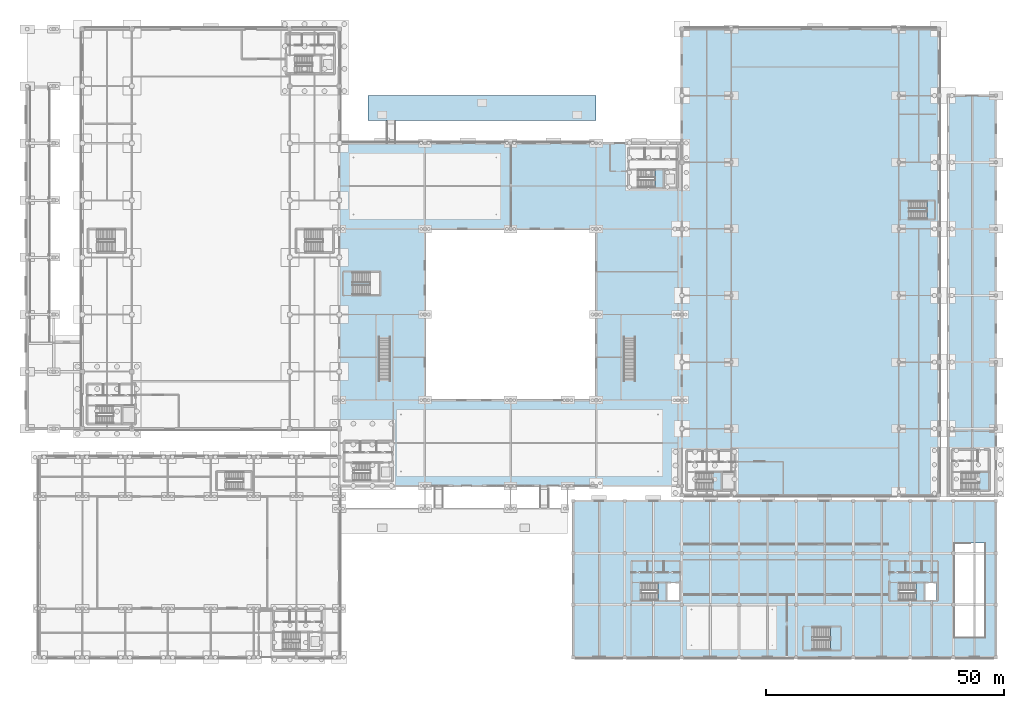
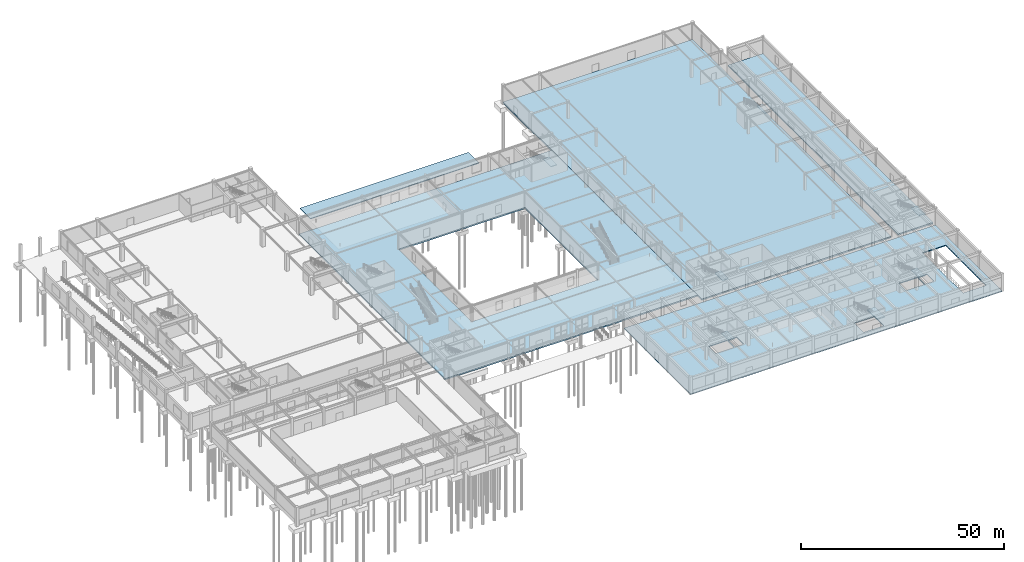
# One storey, part 22 of 53: 12 slabs, 7 elements without a shape of their own.
"""IFC4 building model written with IfcOpenShell, lengths in metres."""

from ifc_helpers import new_model, si_unit, derived_unit, direction, frame, origin, place, context, subcontext, project, spatial, polyline, outline, extrude, material, layer, layer_set, type_object, element, aggregate, save


model = new_model("IFC4")

# Units and contexts
model_context = context("Model", 3, precision=1e-05, world=origin(), true_north=direction((0.0, 1.0)))
body_context = subcontext(model_context, "Body", "Model", "MODEL_VIEW")
ifc_project = project(units=[si_unit("LENGTHUNIT", "METRE"), si_unit("AREAUNIT", "SQUARE_METRE"), si_unit("VOLUMEUNIT", "CUBIC_METRE"), si_unit("PLANEANGLEUNIT", "RADIAN"), si_unit("MASSUNIT", "GRAM", prefix="KILO"), derived_unit("THERMALTRANSMITTANCEUNIT", [(si_unit("POWERUNIT", "WATT"), 1), (si_unit("LENGTHUNIT", "METRE"), -2), (si_unit("THERMODYNAMICTEMPERATUREUNIT", "KELVIN"), -1)])], contexts=[model_context])

# Site, building, storey
site_placement = place(None, origin())
site = spatial("IfcSite", under=ifc_project, at=site_placement, CompositionType="ELEMENT")
building_placement = place(site_placement, origin())
building = spatial("IfcBuilding", under=site, at=building_placement, Name="Almenara Railside Exhibition Hall", CompositionType="ELEMENT")
storey_placement = place(building_placement, origin())
storey = spatial("IfcBuildingStorey", under=building, at=storey_placement, Name="L00", CompositionType="ELEMENT", Elevation=0.0)

# Slabs
ifc_material_1 = material(Name="Concrete C35/45", Category="concrete")
ifc_layer_1 = layer(ifc_material_1, 0.260009765625, Name="Concrete C35/45")
ifc_layer_set_1 = layer_set([ifc_layer_1], Name="Concrete C35/45")
slab_type_1 = type_object("IfcSlabType", Name="Congress Suspended Slab 260mm C35/45", PredefinedType="FLOOR", material=ifc_layer_set_1)
slab_1_placement = place(storey_placement, frame((0.0, 0.0, -0.260009765625)))
element("IfcSlab", 1, at=slab_1_placement, inside=storey, type_object=slab_type_1, Name="Congress South ground deck 006", PredefinedType="FLOOR", context=body_context, shape_type="SweptSolid", body=[
    extrude(outline(polyline([(115.199951171875, 0.0), (204.0, 0.0), (204.0, 32.800048828125), (115.199951171875, 32.800048828125), (115.199951171875, 0.0)]), holes=[polyline([(129.350830078125, 12.050048828125), (134.60009765625, 12.050048828125), (134.60009765625, 15.5400390625), (129.350830078125, 15.5400390625), (129.350830078125, 12.050048828125)]), polyline([(134.89990234375, 12.050048828125), (137.35009765625, 12.050048828125), (137.35009765625, 15.5400390625), (134.89990234375, 15.5400390625), (134.89990234375, 12.050048828125)]), polyline([(183.55078125, 12.050048828125), (188.800048828125, 12.050048828125), (188.800048828125, 15.5400390625), (183.55078125, 15.5400390625), (183.55078125, 12.050048828125)]), polyline([(189.10009765625, 12.050048828125), (191.550048828125, 12.050048828125), (191.550048828125, 15.5400390625), (189.10009765625, 15.5400390625), (189.10009765625, 12.050048828125)]), polyline([(195.199951171875, 4.0), (201.800048828125, 4.0), (201.800048828125, 24.0), (195.199951171875, 24.0), (195.199951171875, 4.0)]), polyline([(165.45068359375, 1.64990234375), (171.25, 1.64990234375), (171.25, 6.25), (165.45068359375, 6.25), (165.45068359375, 1.64990234375)])]), origin(), (0.0, 0.0, 1.0), 0.260009765625),
])
ifc_material_2 = material(Name="Concrete C40/50", Category="concrete")
ifc_layer_2 = layer(ifc_material_2, 0.43994140625, Name="Concrete C40/50")
ifc_layer_set_2 = layer_set([ifc_layer_2], Name="Concrete C40/50")
slab_type_2 = type_object("IfcSlabType", Name="East Heavy Exhibition Slab 440mm C40/50", PredefinedType="BASESLAB", material=ifc_layer_set_2)
slab_2_placement = place(storey_placement, frame((0.0, 0.0, -0.43994140625)))
element("IfcSlab", 2, at=slab_2_placement, inside=storey, type_object=slab_type_2, Name="East Exhibition Hall 2 ground slab 003", PredefinedType="BASESLAB", context=body_context, shape_type="SweptSolid", body=[
    extrude(outline(polyline([(138.0, 34.0), (192.0, 34.0), (192.0, 132.0), (138.0, 132.0), (138.0, 34.0)])), origin(), (0.0, 0.0, 1.0), 0.43994140625),
])
ifc_layer_3 = layer(ifc_material_1, 0.22509765625, Name="Concrete C35/45")
ifc_layer_set_3 = layer_set([ifc_layer_3], Name="Concrete C35/45")
slab_type_3 = type_object("IfcSlabType", Name="Forecourt Approach Slab 225mm C35/45", PredefinedType="BASESLAB", material=ifc_layer_set_3)
slab_3_placement = place(storey_placement, frame((0.0, 0.0, -0.625)))
element("IfcSlab", 3, at=slab_3_placement, inside=storey, type_object=slab_type_3, Name="North Rail Court paved approach terrace 011", PredefinedType="BASESLAB", context=body_context, shape_type="SweptSolid", body=[
    extrude(outline(polyline([(72.0, 112.800048828125), (120.0, 112.800048828125), (120.0, 118.0), (72.0, 118.0), (72.0, 112.800048828125)])), origin(), (0.0, 0.0, 1.0), 0.22509765625),
])
ifc_layer_4 = layer(ifc_material_1, 0.409912109375, Name="Concrete C35/45")
ifc_layer_set_4 = layer_set([ifc_layer_4], Name="Concrete C35/45")
slab_type_4 = type_object("IfcSlabType", Name="Ground Concourse Slab 410mm C35/45", PredefinedType="BASESLAB", material=ifc_layer_set_4)
slab_4_placement = place(storey_placement, frame((0.0, 0.0, -0.409912109375)))
element("IfcSlab", 4, at=slab_4_placement, inside=storey, type_object=slab_type_4, Name="Central Concourse slab 005", PredefinedType="BASESLAB", context=body_context, shape_type="SweptSolid", body=[
    extrude(outline(polyline([(66.0, 36.0), (138.0, 36.0), (138.0, 108.0), (66.0, 108.0), (66.0, 36.0)]), holes=[polyline([(84.0, 54.0), (120.0, 54.0), (120.0, 90.0), (84.0, 90.0), (84.0, 54.0)])]), origin(), (0.0, 0.0, 1.0), 0.409912109375),
])
slab_5_placement = place(storey_placement, frame((0.0, 0.0, -0.409912109375)))
element("IfcSlab", 5, at=slab_5_placement, inside=storey, type_object=slab_type_4, Name="Congress East ground slab 007", PredefinedType="BASESLAB", context=body_context, shape_type="SweptSolid", body=[
    extrude(outline(polyline([(194.0, 34.0), (204.0, 34.0), (204.0, 118.0), (194.0, 118.0), (194.0, 34.0)])), origin(), (0.0, 0.0, 1.0), 0.409912109375),
])

# Stair, slab
stair_type_1 = type_object("IfcStairType", Name="Core Dog-Leg Escape Stair 1520mm", PredefinedType="TWO_STRAIGHT_RUN_STAIR", material=ifc_material_1)
stair_1_placement = place(storey_placement, origin())
stair_1 = element("IfcStair", 6, at=stair_1_placement, inside=storey, type_object=stair_type_1, Name="Escape stair ST-C3-L00", PredefinedType="TWO_STRAIGHT_RUN_STAIR")
ifc_layer_5 = layer(ifc_material_1, 0.199951171875, Name="Concrete C35/45")
ifc_layer_set_5 = layer_set([ifc_layer_5], Name="Concrete C35/45")
slab_type_5 = type_object("IfcSlabType", Name="Stair Half-Landing Slab 200mm C35/45", PredefinedType="LANDING", material=ifc_layer_set_5)
slab_6_placement = place(storey_placement, frame((0.0, 0.0, 2.5)))
slab_6 = element("IfcSlab", 7, at=slab_6_placement, type_object=slab_type_5, Name="ST-C3-L00 landing 1", PredefinedType="LANDING", context=body_context, shape_type="SweptSolid", body=[
    extrude(outline(polyline([(144.559814453125, 35.050048828125), (146.2900390625, 35.050048828125), (146.2900390625, 38.8798828125), (144.559814453125, 38.8798828125), (144.559814453125, 35.050048828125)])), origin(), (0.0, 0.0, 1.0), 0.199951171875),
])
aggregate(stair_1, [slab_6])

stair_2_placement = place(storey_placement, origin())
stair_2 = element("IfcStair", 8, at=stair_2_placement, inside=storey, type_object=stair_type_1, Name="Escape stair ST-C5-L00", PredefinedType="TWO_STRAIGHT_RUN_STAIR")
slab_7_placement = place(storey_placement, frame((0.0, 0.0, 2.5)))
slab_7 = element("IfcSlab", 9, at=slab_7_placement, type_object=slab_type_5, Name="ST-C5-L00 landing 1", PredefinedType="LANDING", context=body_context, shape_type="SweptSolid", body=[
    extrude(outline(polyline([(132.959716796875, 11.85009765625), (134.68994140625, 11.85009765625), (134.68994140625, 15.679931640625), (132.959716796875, 15.679931640625), (132.959716796875, 11.85009765625)])), origin(), (0.0, 0.0, 1.0), 0.199951171875),
])
aggregate(stair_2, [slab_7])

stair_3_placement = place(storey_placement, origin())
stair_3 = element("IfcStair", 10, at=stair_3_placement, inside=storey, type_object=stair_type_1, Name="Escape stair ST-C6-L00", PredefinedType="TWO_STRAIGHT_RUN_STAIR")
slab_8_placement = place(storey_placement, frame((0.0, 0.0, 2.5)))
slab_8 = element("IfcSlab", 11, at=slab_8_placement, type_object=slab_type_5, Name="ST-C6-L00 landing 1", PredefinedType="LANDING", context=body_context, shape_type="SweptSolid", body=[
    extrude(outline(polyline([(187.159912109375, 11.85009765625), (188.889892578125, 11.85009765625), (188.889892578125, 15.679931640625), (187.159912109375, 15.679931640625), (187.159912109375, 11.85009765625)])), origin(), (0.0, 0.0, 1.0), 0.199951171875),
])
aggregate(stair_3, [slab_8])

stair_4_placement = place(storey_placement, origin())
stair_4 = element("IfcStair", 12, at=stair_4_placement, inside=storey, type_object=stair_type_1, Name="Escape stair ST-C8-L00", PredefinedType="TWO_STRAIGHT_RUN_STAIR")
slab_9_placement = place(storey_placement, frame((0.0, 0.0, 2.5)))
slab_9 = element("IfcSlab", 13, at=slab_9_placement, type_object=slab_type_5, Name="ST-C8-L00 landing 1", PredefinedType="LANDING", context=body_context, shape_type="SweptSolid", body=[
    extrude(outline(polyline([(132.35986328125, 98.64990234375), (134.090087890625, 98.64990234375), (134.090087890625, 102.47998046875), (132.35986328125, 102.47998046875), (132.35986328125, 98.64990234375)])), origin(), (0.0, 0.0, 1.0), 0.199951171875),
])
aggregate(stair_4, [slab_9])

stair_type_2 = type_object("IfcStairType", Name="East Core Dog-Leg Stair 1500mm", PredefinedType="TWO_STRAIGHT_RUN_STAIR", material=ifc_material_1)
stair_5_placement = place(storey_placement, origin())
stair_5 = element("IfcStair", 14, at=stair_5_placement, inside=storey, type_object=stair_type_2, Name="Escape stair ST-C9-L00", PredefinedType="TWO_STRAIGHT_RUN_STAIR")
slab_10_placement = place(storey_placement, frame((0.0, 0.0, 2.5)))
slab_10 = element("IfcSlab", 15, at=slab_10_placement, type_object=slab_type_5, Name="ST-C9-L00 landing 1", PredefinedType="LANDING", context=body_context, shape_type="SweptSolid", body=[
    extrude(outline(polyline([(200.489990234375, 35.050048828125), (202.5400390625, 35.050048828125), (202.5400390625, 38.8798828125), (200.489990234375, 38.8798828125), (200.489990234375, 35.050048828125)])), origin(), (0.0, 0.0, 1.0), 0.199951171875),
])
aggregate(stair_5, [slab_10])

stair_type_3 = type_object("IfcStairType", Name="Hall Escape Dog-Leg Stair 2100mm", PredefinedType="TWO_STRAIGHT_RUN_STAIR", material=ifc_material_1)
stair_6_placement = place(storey_placement, origin())
stair_6 = element("IfcStair", 16, at=stair_6_placement, inside=storey, type_object=stair_type_3, Name="Escape stair HST4-L00", PredefinedType="TWO_STRAIGHT_RUN_STAIR")
slab_11_placement = place(storey_placement, frame((0.0, 0.0, 2.5)))
slab_11 = element("IfcSlab", 17, at=slab_11_placement, type_object=slab_type_5, Name="HST4-L00 landing 1", PredefinedType="LANDING", context=body_context, shape_type="SweptSolid", body=[
    extrude(outline(polyline([(169.18994140625, 1.449951171875), (171.43994140625, 1.449951171875), (171.43994140625, 6.3798828125), (169.18994140625, 6.3798828125), (169.18994140625, 1.449951171875)])), origin(), (0.0, 0.0, 1.0), 0.199951171875),
])
aggregate(stair_6, [slab_11])

stair_7_placement = place(storey_placement, origin())
stair_7 = element("IfcStair", 18, at=stair_7_placement, inside=storey, type_object=stair_type_1, Name="Escape stair HST6-L00", PredefinedType="TWO_STRAIGHT_RUN_STAIR")
slab_12_placement = place(storey_placement, frame((0.0, 0.0, 2.5)))
slab_12 = element("IfcSlab", 19, at=slab_12_placement, type_object=slab_type_5, Name="HST6-L00 landing 1", PredefinedType="LANDING", context=body_context, shape_type="SweptSolid", body=[
    extrude(outline(polyline([(189.489990234375, 92.050048828125), (191.239990234375, 92.050048828125), (191.239990234375, 95.929931640625), (189.489990234375, 95.929931640625), (189.489990234375, 92.050048828125)])), origin(), (0.0, 0.0, 1.0), 0.199951171875),
])
aggregate(stair_7, [slab_12])

save(model, "model.ifc")
